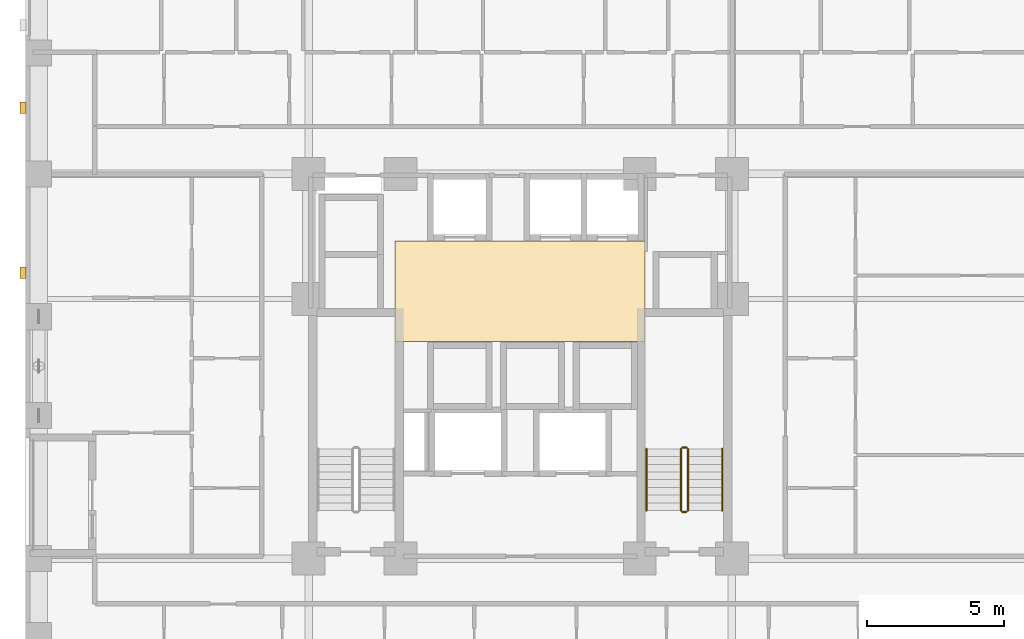
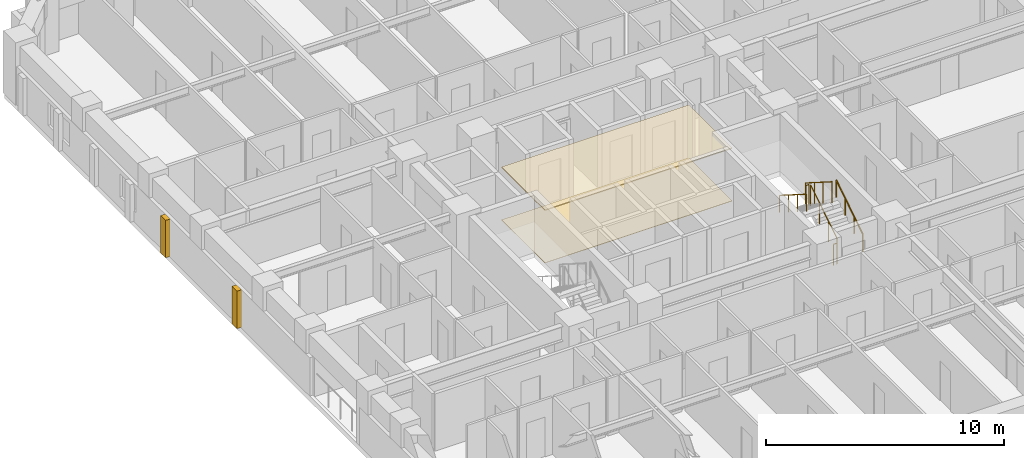
# One storey, part 13 of 14: 6 railings, 4 coverings.
"""IFC4 building model written with IfcOpenShell, lengths in metres."""

from ifc_helpers import new_model, si_unit, derived_unit, direction, frame, origin, origin_2d, place, context, subcontext, project, spatial, polyline, rectangle, circle, outline, extrude, material, layer, layer_set, type_object, element, save


model = new_model("IFC4")

# Units and contexts
model_context = context("Model", 3, precision=1e-05, world=origin(), true_north=direction((0.0, 1.0)))
body_context = subcontext(model_context, "Body", "Model", "MODEL_VIEW")
ifc_project = project(units=[si_unit("LENGTHUNIT", "METRE"), si_unit("AREAUNIT", "SQUARE_METRE"), si_unit("VOLUMEUNIT", "CUBIC_METRE"), si_unit("PLANEANGLEUNIT", "RADIAN"), si_unit("MASSUNIT", "GRAM", prefix="KILO"), derived_unit("THERMALTRANSMITTANCEUNIT", [(si_unit("MASSUNIT", "GRAM", prefix="KILO"), 1), (si_unit("TIMEUNIT", "SECOND"), -3), (si_unit("THERMODYNAMICTEMPERATUREUNIT", "KELVIN"), -1)])], contexts=[model_context])

# Site, building, storey
site_placement = place(None, origin())
site = spatial("IfcSite", under=ifc_project, at=site_placement, CompositionType="ELEMENT")
building_placement = place(site_placement, origin())
building = spatial("IfcBuilding", under=site, at=building_placement, Name="Korrvale Station Residences", CompositionType="ELEMENT")
storey_placement = place(building_placement, frame((0.0, 0.0, 29.0)))
storey = spatial("IfcBuildingStorey", under=building, at=storey_placement, Name="L06", CompositionType="ELEMENT", Elevation=29.0)

# Coverings
ifc_material_1 = material(Name="Perforated acoustic mineral-fibre suspended ceiling", Category="gypsum")
ifc_layer_1 = layer(ifc_material_1, 0.050048828125, Name="Perforated acoustic mineral-fibre suspended ceiling")
ifc_layer_set_1 = layer_set([ifc_layer_1], Name="Perforated acoustic mineral-fibre suspended ceiling")
covering_type_1 = type_object("IfcCoveringType", Name="COV-CLG-AC60", PredefinedType="CEILING", material=ifc_layer_set_1)
covering_1_placement = place(storey_placement, frame((0.0, 0.0, 2.68994140625)))
element("IfcCovering", 1, at=covering_1_placement, inside=storey, type_object=covering_type_1, Name="L06 Elevator Lobby Acoustic Ceiling", PredefinedType="CEILING", context=body_context, shape_type="SweptSolid", body=[
    extrude(outline(polyline([(20.949951171875, 22.89990234375), (30.050048828125, 22.89990234375), (30.050048828125, 26.550048828125), (20.949951171875, 26.550048828125), (20.949951171875, 22.89990234375)])), origin(), (0.0, 0.0, 1.0), 0.050048828125),
])
ifc_material_2 = material(Name="Polished quartz-terrazzo lobby flooring", Category="masonry")
ifc_layer_2 = layer(ifc_material_2, 0.02001953125, Name="Polished quartz-terrazzo lobby flooring")
ifc_layer_set_2 = layer_set([ifc_layer_2], Name="Polished quartz-terrazzo lobby flooring")
covering_type_2 = type_object("IfcCoveringType", Name="COV-FLR-TER20", PredefinedType="FLOORING", material=ifc_layer_set_2)
covering_2_placement = place(storey_placement, origin())
element("IfcCovering", 2, at=covering_2_placement, inside=storey, type_object=covering_type_2, Name="L06 Elevator Lobby Terrazzo Flooring", PredefinedType="FLOORING", context=body_context, shape_type="SweptSolid", body=[
    extrude(outline(polyline([(20.949951171875, 22.89990234375), (30.050048828125, 22.89990234375), (30.050048828125, 26.550048828125), (20.949951171875, 26.550048828125), (20.949951171875, 22.89990234375)])), origin(), (0.0, 0.0, 1.0), 0.02001953125),
])
ifc_material_3 = material(Name="Architectural precast concrete C45/55", Category="concrete")
ifc_layer_3 = layer(ifc_material_3, 0.219970703125, Name="Architectural precast concrete C45/55")
ifc_layer_set_3 = layer_set([ifc_layer_3], Name="Architectural precast concrete C45/55")
covering_type_3 = type_object("IfcCoveringType", Name="COV-PIER-400", PredefinedType="CLADDING", material=ifc_layer_set_3)
for number, where, z_axis, x_axis, name in (
    (3, (7.409912109375, 25.39990234375, 0.02490234375), (0.0, 0.0, 1.0), (0.0, 1.0, 0.0), "L06 Architectural Precast Facade Pier 13"),
    (4, (7.409912109375, 31.39990234375, 0.02490234375), (0.0, 0.0, 1.0), (0.0, 1.0, 0.0), "L06 Architectural Precast Facade Pier 14"),
):
    element("IfcCovering", number, at=place(storey_placement, frame(where, z_axis=z_axis, x_axis=x_axis)), inside=storey, type_object=covering_type_3, Name=name, PredefinedType="CLADDING", context=body_context, shape_type="SweptSolid", body=[
        extrude(rectangle(XDim=0.419921875, YDim=0.219970703125, at=origin_2d()), origin(), (0.0, 0.0, 1.0), 1.925048828125),
    ])

# Railings
ifc_material_4 = material(Name="Brushed stainless-steel continuous stair handrail", Category="steel")
railing_type_1 = type_object("IfcRailingType", Name="RLG-SHND-900", PredefinedType="HANDRAIL", material=ifc_material_4)
railing_1_placement = place(storey_placement, frame((32.85009765625, 16.75, 0.177734375)))
element("IfcRailing", 5, at=railing_1_placement, inside=storey, type_object=railing_type_1, Name="L06 ST-2 stair handrail 1", PredefinedType="HANDRAIL", context=body_context, shape_type="SweptSolid", body=[
    extrude(circle(Radius=0.02392578125, at=origin_2d()), frame((0.0, 0.0, 0.8759765625), z_axis=(0.0, 0.84418770128, 0.536047689118), x_axis=(-1.0, 0.0, 0.0)), (0.0, 0.0, 1.0), 2.6533203125),
    extrude(circle(Radius=0.02099609375, at=origin_2d()), origin(), (0.0, 0.0, 1.0), 0.851806640625),
    extrude(circle(Radius=0.02099609375, at=origin_2d()), frame((0.0, 0.74658203125, 0.47412109375)), (0.0, 0.0, 1.0), 0.851806640625),
    extrude(circle(Radius=0.02099609375, at=origin_2d()), frame((0.0, 1.493408203125, 0.9482421875)), (0.0, 0.0, 1.0), 0.851806640625),
    extrude(circle(Radius=0.02099609375, at=origin_2d()), frame((0.0, 2.239990234375, 1.42236328125)), (0.0, 0.0, 1.0), 0.851806640625),
])
railing_2_placement = place(storey_placement, frame((30.10009765625, 18.989990234375, 1.77783203125)))
element("IfcRailing", 6, at=railing_2_placement, inside=storey, type_object=railing_type_1, Name="L06 ST-2 stair handrail 2", PredefinedType="HANDRAIL", context=body_context, shape_type="SweptSolid", body=[
    extrude(circle(Radius=0.02392578125, at=origin_2d()), frame((0.0, 0.0, 0.8759765625), z_axis=(0.0, -0.8442293374, 0.53598211339), x_axis=(1.0, 0.0, 0.0)), (0.0, 0.0, 1.0), 2.6533203125),
    extrude(circle(Radius=0.02099609375, at=origin_2d()), origin(), (0.0, 0.0, 1.0), 0.851806640625),
    extrude(circle(Radius=0.02099609375, at=origin_2d()), frame((0.0, -0.74658203125, 0.47412109375)), (0.0, 0.0, 1.0), 0.851806640625),
    extrude(circle(Radius=0.02099609375, at=origin_2d()), frame((0.0, -1.493408203125, 0.947998046875)), (0.0, 0.0, 1.0), 0.851806640625),
    extrude(circle(Radius=0.02099609375, at=origin_2d()), frame((0.0, -2.239990234375, 1.422119140625)), (0.0, 0.0, 1.0), 0.851806640625),
])
ifc_material_5 = material(Name="Galvanised painted tubular steel stair guard", Category="steel")
railing_type_2 = type_object("IfcRailingType", Name="RLG-STR-1100", PredefinedType="GUARDRAIL", material=ifc_material_5)
railing_3_placement = place(storey_placement, frame((31.60009765625, 16.75, 0.177734375)))
element("IfcRailing", 7, at=railing_3_placement, inside=storey, type_object=railing_type_2, Name="L06 ST-2 stair guard 1", PredefinedType="GUARDRAIL", context=body_context, shape_type="SweptSolid", body=[
    extrude(circle(Radius=0.02392578125, at=origin_2d()), frame((0.0, 0.0, 1.076171875), z_axis=(0.0, 0.84418770128, 0.536047689118), x_axis=(-1.0, 0.0, 0.0)), (0.0, 0.0, 1.0), 2.6533203125),
    extrude(circle(Radius=0.02099609375, at=origin_2d()), origin(), (0.0, 0.0, 1.0), 1.052001953125),
    extrude(circle(Radius=0.02099609375, at=origin_2d()), frame((0.0, 0.74658203125, 0.47412109375)), (0.0, 0.0, 1.0), 1.052001953125),
    extrude(circle(Radius=0.02099609375, at=origin_2d()), frame((0.0, 1.493408203125, 0.9482421875)), (0.0, 0.0, 1.0), 1.052001953125),
    extrude(circle(Radius=0.02099609375, at=origin_2d()), frame((0.0, 2.239990234375, 1.42236328125)), (0.0, 0.0, 1.0), 1.052001953125),
])
railing_4_placement = place(storey_placement, frame((31.550048828125, 19.0400390625, 1.60009765625)))
element("IfcRailing", 8, at=railing_4_placement, inside=storey, type_object=railing_type_2, Name="L06 ST-2 stair guard 2", PredefinedType="GUARDRAIL", context=body_context, shape_type="SweptSolid", body=[
    extrude(circle(Radius=0.02392578125, at=origin_2d()), frame((0.0, 0.0, 1.076171875), z_axis=(-1.0, 0.0, 0.0), x_axis=(0.0, -1.0, 0.0)), (0.0, 0.0, 1.0), 0.150146484375),
    extrude(circle(Radius=0.02099609375, at=origin_2d()), origin(), (0.0, 0.0, 1.0), 1.052001953125),
    extrude(circle(Radius=0.02099609375, at=origin_2d()), frame((-0.150146484375, 0.0, 0.0)), (0.0, 0.0, 1.0), 1.052001953125),
])
railing_5_placement = place(storey_placement, frame((31.35009765625, 18.989990234375, 1.77783203125)))
element("IfcRailing", 9, at=railing_5_placement, inside=storey, type_object=railing_type_2, Name="L06 ST-2 stair guard 3", PredefinedType="GUARDRAIL", context=body_context, shape_type="SweptSolid", body=[
    extrude(circle(Radius=0.02392578125, at=origin_2d()), frame((0.0, 0.0, 1.076171875), z_axis=(0.0, -0.8442293374, 0.53598211339), x_axis=(1.0, 0.0, 0.0)), (0.0, 0.0, 1.0), 2.6533203125),
    extrude(circle(Radius=0.02099609375, at=origin_2d()), origin(), (0.0, 0.0, 1.0), 1.052001953125),
    extrude(circle(Radius=0.02099609375, at=origin_2d()), frame((0.0, -0.74658203125, 0.47412109375)), (0.0, 0.0, 1.0), 1.052001953125),
    extrude(circle(Radius=0.02099609375, at=origin_2d()), frame((0.0, -1.493408203125, 0.947998046875)), (0.0, 0.0, 1.0), 1.052001953125),
    extrude(circle(Radius=0.02099609375, at=origin_2d()), frame((0.0, -2.239990234375, 1.422119140625)), (0.0, 0.0, 1.0), 1.052001953125),
])
railing_6_placement = place(storey_placement, frame((31.550048828125, 16.699951171875, 0.0)))
element("IfcRailing", 10, at=railing_6_placement, inside=storey, type_object=railing_type_2, Name="L06 ST-2 stair guard 4", PredefinedType="GUARDRAIL", context=body_context, shape_type="SweptSolid", body=[
    extrude(circle(Radius=0.02392578125, at=origin_2d()), frame((0.0, 0.0, 1.076171875), z_axis=(-1.0, 0.0, 0.0), x_axis=(0.0, -1.0, 0.0)), (0.0, 0.0, 1.0), 0.150146484375),
    extrude(circle(Radius=0.02099609375, at=origin_2d()), origin(), (0.0, 0.0, 1.0), 1.052001953125),
    extrude(circle(Radius=0.02099609375, at=origin_2d()), frame((-0.150146484375, 0.0, 0.0)), (0.0, 0.0, 1.0), 1.052001953125),
])

save(model, "model.ifc")
